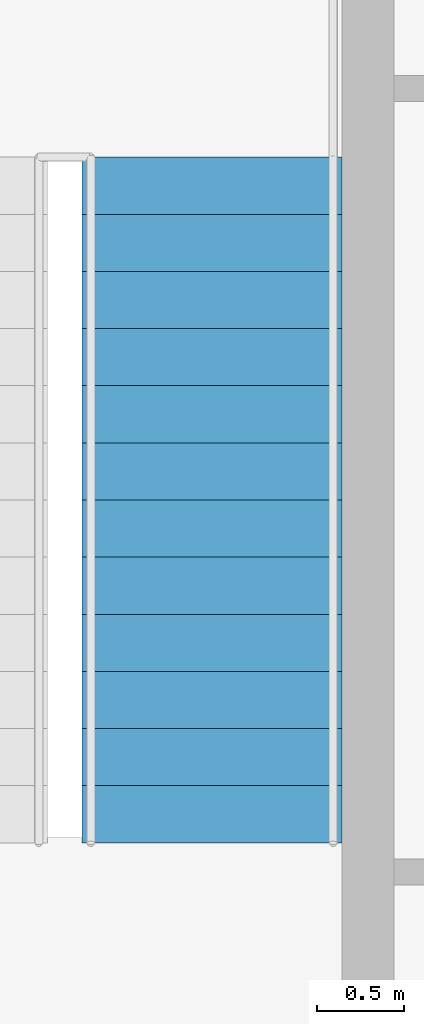
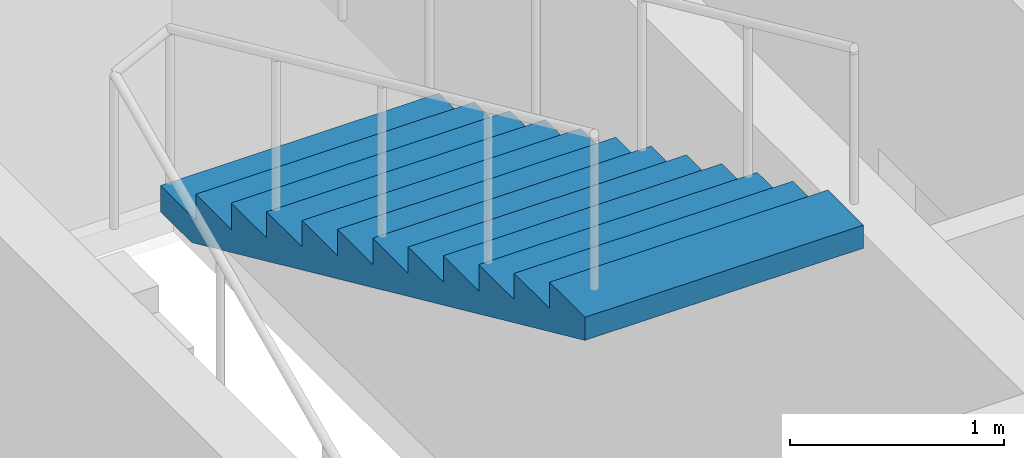
# One storey, part 10 of 11: 1 stair flight, 1 element without a shape of its own.
"""IFC4 building model written with IfcOpenShell, lengths in metres."""

from ifc_helpers import new_model, si_unit, direction, frame, origin, place, context, subcontext, project, spatial, polygons, material, type_object, element, aggregate, save


model = new_model("IFC4")

# Units and contexts
model_context = context("Model", 3, precision=1e-05, world=origin(), true_north=direction((0.0, 1.0)))
body_context = subcontext(model_context, "Body", "Model", "MODEL_VIEW")
ifc_project = project(units=[si_unit("LENGTHUNIT", "METRE"), si_unit("AREAUNIT", "SQUARE_METRE"), si_unit("VOLUMEUNIT", "CUBIC_METRE"), si_unit("PLANEANGLEUNIT", "RADIAN"), si_unit("MASSUNIT", "GRAM", prefix="KILO")], contexts=[model_context])

# Site, building, storey
site_placement = place(None, origin())
site = spatial("IfcSite", under=ifc_project, at=site_placement, CompositionType="ELEMENT")
building_placement = place(site_placement, origin())
building = spatial("IfcBuilding", under=site, at=building_placement, Name="Njiva Tower", CompositionType="ELEMENT")
storey_placement = place(building_placement, frame((0.0, 0.0, 204.3)))
storey = spatial("IfcBuildingStorey", under=building, at=storey_placement, Name="L45", CompositionType="ELEMENT", Elevation=204.3)

# Stair, stair flight
ifc_material = material(Name="Concrete C40/50", Category="concrete")
stair_type = type_object("IfcStairType", Name="ST4 Exit stair 1500", PredefinedType="HALF_TURN_STAIR", material=ifc_material)
stair_placement = place(storey_placement, origin())
stair = element("IfcStair", 1, at=stair_placement, inside=storey, type_object=stair_type, Name="Stair B", PredefinedType="HALF_TURN_STAIR")
stair_flight_type = type_object("IfcStairFlightType", Name="FL4 Stair flight 1500", PredefinedType="STRAIGHT", material=ifc_material)
stair_flight_placement = place(storey_placement, frame((13.45, 15.06, 1.95), z_axis=(0.0, 0.0, 1.0), x_axis=(0.0, -1.0, 0.0)))
stair_flight = element("IfcStairFlight", 2, at=stair_flight_placement, type_object=stair_flight_type, Name="ST-B flight 2", NumberOfRisers=13, NumberOfTreads=12, PredefinedType="STRAIGHT", RiserHeight=0.15, TreadLength=0.33, context=body_context, shape_type="Tessellation", body=[
    polygons([(0.0, 0.75, 0.0), (0.0, 0.375, 0.0), (0.0, 0.0, 0.0), (0.0, -0.375, 0.0), (0.0, -0.75, 0.0), (0.0, 0.75, 0.15), (0.0, 0.375, 0.15), (0.0, 0.0, 0.15), (0.0, -0.375, 0.15), (0.0, -0.75, 0.15), (0.33, 0.75, 0.15), (0.33, 0.375, 0.15), (0.33, 0.0, 0.15), (0.33, -0.375, 0.15), (0.33, -0.75, 0.15), (0.33, 0.75, 0.3), (0.33, 0.375, 0.3), (0.33, 0.0, 0.3), (0.33, -0.375, 0.3), (0.33, -0.75, 0.3), (0.66, 0.75, 0.3), (0.66, 0.375, 0.3), (0.66, 0.0, 0.3), (0.66, -0.375, 0.3), (0.66, -0.75, 0.3), (0.66, 0.75, 0.45), (0.66, 0.375, 0.45), (0.66, 0.0, 0.45), (0.66, -0.375, 0.45), (0.66, -0.75, 0.45), (0.99, 0.75, 0.45), (0.99, 0.375, 0.45), (0.99, 0.0, 0.45), (0.99, -0.375, 0.45), (0.99, -0.75, 0.45), (0.99, 0.75, 0.6), (0.99, 0.375, 0.6), (0.99, 0.0, 0.6), (0.99, -0.375, 0.6), (0.99, -0.75, 0.6), (1.32, 0.75, 0.6), (1.32, 0.375, 0.6), (1.32, 0.0, 0.6), (1.32, -0.375, 0.6), (1.32, -0.75, 0.6), (1.32, 0.75, 0.75), (1.32, 0.375, 0.75), (1.32, 0.0, 0.75), (1.32, -0.375, 0.75), (1.32, -0.75, 0.75), (1.65, 0.75, 0.75), (1.65, 0.375, 0.75), (1.65, 0.0, 0.75), (1.65, -0.375, 0.75), (1.65, -0.75, 0.75), (1.65, 0.75, 0.9), (1.65, 0.375, 0.9), (1.65, 0.0, 0.9), (1.65, -0.375, 0.9), (1.65, -0.75, 0.9), (1.98, 0.75, 0.9), (1.98, 0.375, 0.9), (1.98, 0.0, 0.9), (1.98, -0.375, 0.9), (1.98, -0.75, 0.9), (1.98, 0.75, 1.05), (1.98, 0.375, 1.05), (1.98, 0.0, 1.05), (1.98, -0.375, 1.05), (1.98, -0.75, 1.05), (2.31, 0.75, 1.05), (2.31, 0.375, 1.05), (2.31, 0.0, 1.05), (2.31, -0.375, 1.05), (2.31, -0.75, 1.05), (2.31, 0.75, 1.2), (2.31, 0.375, 1.2), (2.31, 0.0, 1.2), (2.31, -0.375, 1.2), (2.31, -0.75, 1.2), (2.64, 0.75, 1.2), (2.64, 0.375, 1.2), (2.64, 0.0, 1.2), (2.64, -0.375, 1.2), (2.64, -0.75, 1.2), (2.64, 0.75, 1.35), (2.64, 0.375, 1.35), (2.64, 0.0, 1.35), (2.64, -0.375, 1.35), (2.64, -0.75, 1.35), (2.97, 0.75, 1.35), (2.97, 0.375, 1.35), (2.97, 0.0, 1.35), (2.97, -0.375, 1.35), (2.97, -0.75, 1.35), (2.97, 0.75, 1.5), (2.97, 0.375, 1.5), (2.97, 0.0, 1.5), (2.97, -0.375, 1.5), (2.97, -0.75, 1.5), (3.3, 0.75, 1.5), (3.3, 0.375, 1.5), (3.3, 0.0, 1.5), (3.3, -0.375, 1.5), (3.3, -0.75, 1.5), (3.3, 0.75, 1.65), (3.3, 0.375, 1.65), (3.3, 0.0, 1.65), (3.3, -0.375, 1.65), (3.3, -0.75, 1.65), (3.63, 0.75, 1.65), (3.63, 0.375, 1.65), (3.63, 0.0, 1.65), (3.63, -0.375, 1.65), (3.63, -0.75, 1.65), (3.63, 0.75, 1.8), (3.63, 0.375, 1.8), (3.63, 0.0, 1.8), (3.63, -0.375, 1.8), (3.63, -0.75, 1.8), (3.96, 0.75, 1.8), (3.96, 0.375, 1.8), (3.96, 0.0, 1.8), (3.96, -0.375, 1.8), (3.96, -0.75, 1.8), (3.96, 0.75, 1.6682), (3.96, 0.375, 1.6682), (3.96, 0.0, 1.6682), (3.96, -0.375, 1.6682), (3.96, -0.75, 1.6682), (0.29, 0.75, 0.0), (0.29, 0.375, 0.0), (0.29, 0.0, 0.0), (0.29, -0.375, 0.0), (0.29, -0.75, 0.0)], [[[1, 6, 11, 16, 21, 26, 31, 36, 41, 46, 51, 56, 61, 66, 71, 76, 81, 86, 91, 96, 101, 106, 111, 116, 121, 126, 131]], [[135, 130, 125, 120, 115, 110, 105, 100, 95, 90, 85, 80, 75, 70, 65, 60, 55, 50, 45, 40, 35, 30, 25, 20, 15, 10, 5]], [[6, 1, 2, 7]], [[7, 2, 3, 8]], [[8, 3, 4, 9]], [[9, 4, 5, 10]], [[11, 6, 7, 12]], [[12, 7, 8, 13]], [[13, 8, 9, 14]], [[14, 9, 10, 15]], [[16, 11, 12, 17]], [[17, 12, 13, 18]], [[18, 13, 14, 19]], [[19, 14, 15, 20]], [[21, 16, 17, 22]], [[22, 17, 18, 23]], [[23, 18, 19, 24]], [[24, 19, 20, 25]], [[26, 21, 22, 27]], [[27, 22, 23, 28]], [[28, 23, 24, 29]], [[29, 24, 25, 30]], [[31, 26, 27, 32]], [[32, 27, 28, 33]], [[33, 28, 29, 34]], [[34, 29, 30, 35]], [[36, 31, 32, 37]], [[37, 32, 33, 38]], [[38, 33, 34, 39]], [[39, 34, 35, 40]], [[41, 36, 37, 42]], [[42, 37, 38, 43]], [[43, 38, 39, 44]], [[44, 39, 40, 45]], [[46, 41, 42, 47]], [[47, 42, 43, 48]], [[48, 43, 44, 49]], [[49, 44, 45, 50]], [[51, 46, 47, 52]], [[52, 47, 48, 53]], [[53, 48, 49, 54]], [[54, 49, 50, 55]], [[56, 51, 52, 57]], [[57, 52, 53, 58]], [[58, 53, 54, 59]], [[59, 54, 55, 60]], [[61, 56, 57, 62]], [[62, 57, 58, 63]], [[63, 58, 59, 64]], [[64, 59, 60, 65]], [[66, 61, 62, 67]], [[67, 62, 63, 68]], [[68, 63, 64, 69]], [[69, 64, 65, 70]], [[71, 66, 67, 72]], [[72, 67, 68, 73]], [[73, 68, 69, 74]], [[74, 69, 70, 75]], [[76, 71, 72, 77]], [[77, 72, 73, 78]], [[78, 73, 74, 79]], [[79, 74, 75, 80]], [[81, 76, 77, 82]], [[82, 77, 78, 83]], [[83, 78, 79, 84]], [[84, 79, 80, 85]], [[86, 81, 82, 87]], [[87, 82, 83, 88]], [[88, 83, 84, 89]], [[89, 84, 85, 90]], [[91, 86, 87, 92]], [[92, 87, 88, 93]], [[93, 88, 89, 94]], [[94, 89, 90, 95]], [[96, 91, 92, 97]], [[97, 92, 93, 98]], [[98, 93, 94, 99]], [[99, 94, 95, 100]], [[101, 96, 97, 102]], [[102, 97, 98, 103]], [[103, 98, 99, 104]], [[104, 99, 100, 105]], [[106, 101, 102, 107]], [[107, 102, 103, 108]], [[108, 103, 104, 109]], [[109, 104, 105, 110]], [[111, 106, 107, 112]], [[112, 107, 108, 113]], [[113, 108, 109, 114]], [[114, 109, 110, 115]], [[116, 111, 112, 117]], [[117, 112, 113, 118]], [[118, 113, 114, 119]], [[119, 114, 115, 120]], [[121, 116, 117, 122]], [[122, 117, 118, 123]], [[123, 118, 119, 124]], [[124, 119, 120, 125]], [[126, 121, 122, 127]], [[127, 122, 123, 128]], [[128, 123, 124, 129]], [[129, 124, 125, 130]], [[131, 126, 127, 132]], [[132, 127, 128, 133]], [[133, 128, 129, 134]], [[134, 129, 130, 135]], [[1, 131, 132, 2]], [[2, 132, 133, 3]], [[3, 133, 134, 4]], [[4, 134, 135, 5]]], closed=True),
])
aggregate(stair, [stair_flight])

save(model, "model.ifc")
